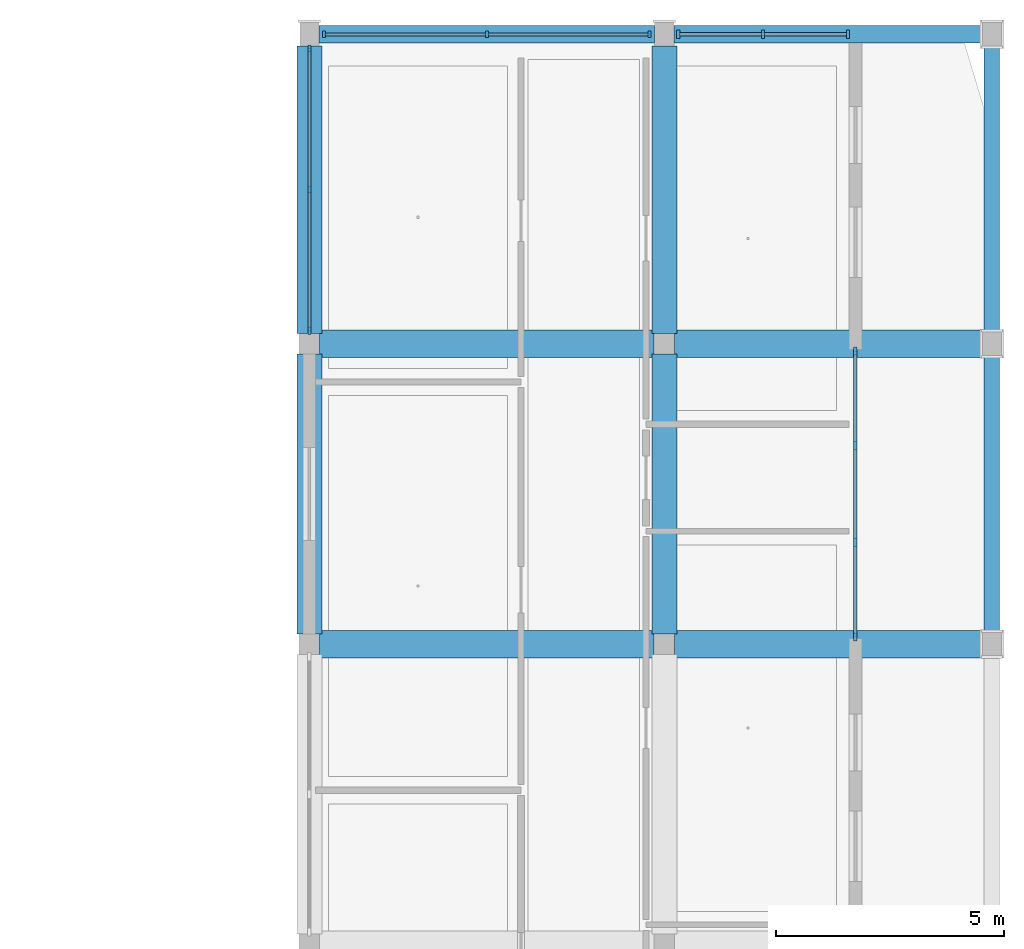
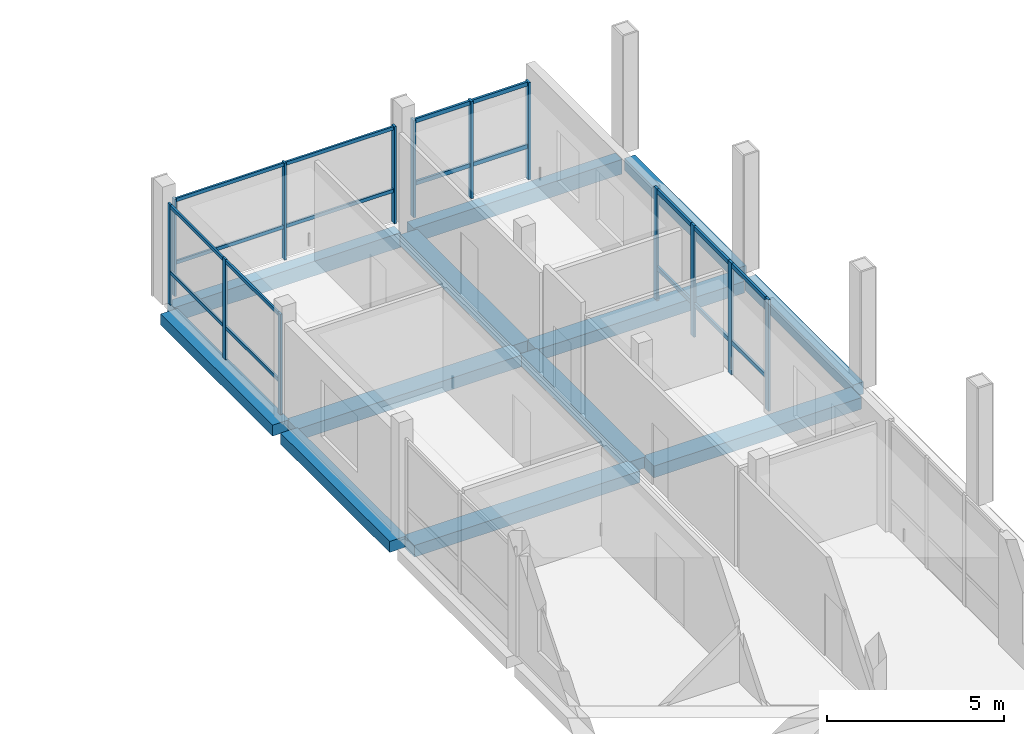
# One storey, part 15 of 48: 21 members, 12 beams, 4 elements without a shape of their own.
"""IFC4 building model written with IfcOpenShell, lengths in metres."""

from ifc_helpers import new_model, si_unit, derived_unit, direction, frame, origin, origin_2d, place, context, subcontext, project, spatial, rectangle, extrude, material, material_profile, profile_set, type_object, element, aggregate, save


model = new_model("IFC4")

# Units and contexts
model_context = context("Model", 3, precision=1e-05, world=origin(), true_north=direction((0.0, 1.0)))
body_context = subcontext(model_context, "Body", "Model", "MODEL_VIEW")
ifc_project = project(units=[si_unit("LENGTHUNIT", "METRE"), si_unit("AREAUNIT", "SQUARE_METRE"), si_unit("VOLUMEUNIT", "CUBIC_METRE"), si_unit("PLANEANGLEUNIT", "RADIAN"), si_unit("MASSUNIT", "GRAM", prefix="KILO"), derived_unit("THERMALTRANSMITTANCEUNIT", [(si_unit("POWERUNIT", "WATT"), 1), (si_unit("LENGTHUNIT", "METRE"), -2), (si_unit("THERMODYNAMICTEMPERATUREUNIT", "KELVIN"), -1)])], contexts=[model_context])

# Site, building, storey
site_placement = place(None, origin())
site = spatial("IfcSite", under=ifc_project, at=site_placement, CompositionType="ELEMENT")
building_placement = place(site_placement, origin())
building = spatial("IfcBuilding", under=site, at=building_placement, Name="Braskholm Square Health Centre", CompositionType="ELEMENT")
storey_placement = place(building_placement, frame((0.0, 0.0, 17.550048828125)))
storey = spatial("IfcBuildingStorey", under=building, at=storey_placement, Name="L05", CompositionType="ELEMENT", Elevation=17.550048828125)

# Curtain wall, members
ifc_material_1 = material(Name="Low-E triple insulating glass (VLT 0.64)", Category="glass")
curtain_wall_type_1 = type_object("IfcCurtainWallType", Name="UnitisedCurtainWall6200x3650", PredefinedType="NOTDEFINED", material=ifc_material_1)
curtain_wall_1_placement = place(storey_placement, origin())
curtain_wall_1 = element("IfcCurtainWall", 1, at=curtain_wall_1_placement, inside=storey, type_object=curtain_wall_type_1, Name="East Valley unitised curtain wall CW-L05-0144", PredefinedType="NOTDEFINED")
ifc_material_2 = material(Name="Architectural bronze anodised aluminium", Category="aluminium")
ifc_material_profile_1 = material_profile(ifc_material_2, rectangle(XDim=0.06494140625, YDim=0.14990234375, at=origin_2d()), Name="ALU-65X150")
ifc_profile_set_1 = profile_set([ifc_material_profile_1], Name="Architectural bronze anodised aluminium")
member_type_1 = type_object("IfcMemberType", Name="CurtainWallMullion65x150", PredefinedType="MULLION", material=ifc_profile_set_1)
member_1_placement = place(storey_placement, frame((148.800048828125, 113.4921875, 0.0), z_axis=(0.0, 0.0, 1.0), x_axis=(1.0, 0.0, 0.0)))
member_1 = element("IfcMember", 2, at=member_1_placement, type_object=member_type_1, Name="CW-L05-0144 vertical mullion 1", PredefinedType="MULLION", context=body_context, shape_type="SweptSolid", body=[
    extrude(rectangle(XDim=0.06494140625, YDim=0.14990234375, at=origin_2d()), origin(), (0.0, 0.0, 1.0), 3.4599609375),
])
member_2_placement = place(storey_placement, frame((148.800048828125, 110.385009765625, 0.0), z_axis=(0.0, 0.0, 1.0), x_axis=(1.0, 0.0, 0.0)))
member_2 = element("IfcMember", 3, at=member_2_placement, type_object=member_type_1, Name="CW-L05-0144 vertical mullion 2", PredefinedType="MULLION", context=body_context, shape_type="SweptSolid", body=[
    extrude(rectangle(XDim=0.06494140625, YDim=0.14990234375, at=origin_2d()), origin(), (0.0, 0.0, 1.0), 3.4599609375),
])
member_3_placement = place(storey_placement, frame((148.800048828125, 107.277587890625, 0.0), z_axis=(0.0, 0.0, 1.0), x_axis=(1.0, 0.0, 0.0)))
member_3 = element("IfcMember", 4, at=member_3_placement, type_object=member_type_1, Name="CW-L05-0144 vertical mullion 3", PredefinedType="MULLION", context=body_context, shape_type="SweptSolid", body=[
    extrude(rectangle(XDim=0.06494140625, YDim=0.14990234375, at=origin_2d()), origin(), (0.0, 0.0, 1.0), 3.4599609375),
])

curtain_wall_2_placement = place(storey_placement, origin())
curtain_wall_2 = element("IfcCurtainWall", 5, at=curtain_wall_2_placement, inside=storey, type_object=curtain_wall_type_1, Name="Wing End unitised curtain wall CW-L05-0170", PredefinedType="NOTDEFINED")
member_4_placement = place(storey_placement, frame((156.276611328125, 113.800048828125, 0.0), z_axis=(0.0, 0.0, 1.0), x_axis=(1.0, 0.0, 0.0)))
member_4 = element("IfcMember", 6, at=member_4_placement, type_object=member_type_1, Name="CW-L05-0170 vertical mullion 1", PredefinedType="MULLION", context=body_context, shape_type="SweptSolid", body=[
    extrude(rectangle(XDim=0.06494140625, YDim=0.14990234375, at=origin_2d()), origin(), (0.0, 0.0, 1.0), 3.33984375),
])
member_5_placement = place(storey_placement, frame((152.699951171875, 113.800048828125, 0.0), z_axis=(0.0, 0.0, 1.0), x_axis=(1.0, 0.0, 0.0)))
member_5 = element("IfcMember", 7, at=member_5_placement, type_object=member_type_1, Name="CW-L05-0170 vertical mullion 2", PredefinedType="MULLION", context=body_context, shape_type="SweptSolid", body=[
    extrude(rectangle(XDim=0.06494140625, YDim=0.14990234375, at=origin_2d()), origin(), (0.0, 0.0, 1.0), 3.33984375),
])
member_6_placement = place(storey_placement, frame((149.123291015625, 113.800048828125, 0.0), z_axis=(0.0, 0.0, 1.0), x_axis=(1.0, 0.0, 0.0)))
member_6 = element("IfcMember", 8, at=member_6_placement, type_object=member_type_1, Name="CW-L05-0170 vertical mullion 3", PredefinedType="MULLION", context=body_context, shape_type="SweptSolid", body=[
    extrude(rectangle(XDim=0.06494140625, YDim=0.14990234375, at=origin_2d()), origin(), (0.0, 0.0, 1.0), 3.33984375),
])

curtain_wall_type_2 = type_object("IfcCurtainWallType", Name="UnitisedCurtainWall6200x3800", PredefinedType="NOTDEFINED", material=ifc_material_1)
curtain_wall_3_placement = place(storey_placement, origin())
curtain_wall_3 = element("IfcCurtainWall", 9, at=curtain_wall_3_placement, inside=storey, type_object=curtain_wall_type_2, Name="East Crown unitised curtain wall CW-L05-0083", PredefinedType="NOTDEFINED")
ifc_material_profile_2 = material_profile(ifc_material_2, rectangle(XDim=0.074951171875, YDim=0.179931640625, at=origin_2d()), Name="ALU-75X180")
ifc_profile_set_2 = profile_set([ifc_material_profile_2], Name="Architectural bronze anodised aluminium")
member_type_2 = type_object("IfcMemberType", Name="CurtainWallMullion75x180", PredefinedType="MULLION", material=ifc_profile_set_2)
member_7_placement = place(storey_placement, frame((160.800048828125, 100.55810546875, 0.0), z_axis=(0.0, 0.0, 1.0), x_axis=(1.0, 0.0, 0.0)))
member_7 = element("IfcMember", 10, at=member_7_placement, type_object=member_type_2, Name="CW-L05-0083 vertical mullion 1", PredefinedType="MULLION", context=body_context, shape_type="SweptSolid", body=[
    extrude(rectangle(XDim=0.074951171875, YDim=0.179931640625, at=origin_2d()), origin(), (0.0, 0.0, 1.0), 3.83984375),
])
member_8_placement = place(storey_placement, frame((160.800048828125, 102.639892578125, 0.0), z_axis=(0.0, 0.0, 1.0), x_axis=(1.0, 0.0, 0.0)))
member_8 = element("IfcMember", 11, at=member_8_placement, type_object=member_type_2, Name="CW-L05-0083 vertical mullion 2", PredefinedType="MULLION", context=body_context, shape_type="SweptSolid", body=[
    extrude(rectangle(XDim=0.074951171875, YDim=0.179931640625, at=origin_2d()), origin(), (0.0, 0.0, 1.0), 3.83984375),
])
member_9_placement = place(storey_placement, frame((160.800048828125, 104.760009765625, 0.0), z_axis=(0.0, 0.0, 1.0), x_axis=(1.0, 0.0, 0.0)))
member_9 = element("IfcMember", 12, at=member_9_placement, type_object=member_type_2, Name="CW-L05-0083 vertical mullion 3", PredefinedType="MULLION", context=body_context, shape_type="SweptSolid", body=[
    extrude(rectangle(XDim=0.074951171875, YDim=0.179931640625, at=origin_2d()), origin(), (0.0, 0.0, 1.0), 3.83984375),
])
member_10_placement = place(storey_placement, frame((160.800048828125, 106.841796875, 0.0), z_axis=(0.0, 0.0, 1.0), x_axis=(1.0, 0.0, 0.0)))
member_10 = element("IfcMember", 13, at=member_10_placement, type_object=member_type_2, Name="CW-L05-0083 vertical mullion 4", PredefinedType="MULLION", context=body_context, shape_type="SweptSolid", body=[
    extrude(rectangle(XDim=0.074951171875, YDim=0.179931640625, at=origin_2d()), origin(), (0.0, 0.0, 1.0), 3.83984375),
])

curtain_wall_type_3 = type_object("IfcCurtainWallType", Name="UnitisedCurtainWall3600x3650", PredefinedType="NOTDEFINED", material=ifc_material_1)
curtain_wall_4_placement = place(storey_placement, origin())
curtain_wall_4 = element("IfcCurtainWall", 14, at=curtain_wall_4_placement, inside=storey, type_object=curtain_wall_type_3, Name="Wing End unitised curtain wall CW-L05-0169", PredefinedType="NOTDEFINED")
member_11_placement = place(storey_placement, frame((160.63720703125, 113.800048828125, 0.0), z_axis=(0.0, 0.0, 1.0), x_axis=(1.0, 0.0, 0.0)))
member_11 = element("IfcMember", 15, at=member_11_placement, type_object=member_type_2, Name="CW-L05-0169 vertical mullion 1", PredefinedType="MULLION", context=body_context, shape_type="SweptSolid", body=[
    extrude(rectangle(XDim=0.074951171875, YDim=0.179931640625, at=origin_2d()), origin(), (0.0, 0.0, 1.0), 3.33984375),
])
member_12_placement = place(storey_placement, frame((158.77001953125, 113.800048828125, 0.0), z_axis=(0.0, 0.0, 1.0), x_axis=(1.0, 0.0, 0.0)))
member_12 = element("IfcMember", 16, at=member_12_placement, type_object=member_type_2, Name="CW-L05-0169 vertical mullion 2", PredefinedType="MULLION", context=body_context, shape_type="SweptSolid", body=[
    extrude(rectangle(XDim=0.074951171875, YDim=0.179931640625, at=origin_2d()), origin(), (0.0, 0.0, 1.0), 3.33984375),
])
member_13_placement = place(storey_placement, frame((156.902587890625, 113.800048828125, 0.0), z_axis=(0.0, 0.0, 1.0), x_axis=(1.0, 0.0, 0.0)))
member_13 = element("IfcMember", 17, at=member_13_placement, type_object=member_type_2, Name="CW-L05-0169 vertical mullion 3", PredefinedType="MULLION", context=body_context, shape_type="SweptSolid", body=[
    extrude(rectangle(XDim=0.074951171875, YDim=0.179931640625, at=origin_2d()), origin(), (0.0, 0.0, 1.0), 3.33984375),
])

# Member
ifc_material_profile_3 = material_profile(ifc_material_2, rectangle(XDim=0.06494140625, YDim=0.1201171875, at=origin_2d()), Name="ALU-65X120")
ifc_profile_set_3 = profile_set([ifc_material_profile_3], Name="Architectural bronze anodised aluminium")
member_type_3 = type_object("IfcMemberType", Name="CurtainWallTransom65x120", PredefinedType="USERDEFINED", material=ifc_profile_set_3)
member_14_placement = place(storey_placement, frame((148.800048828125, 113.485107421875, 1.119873046875), z_axis=(0.0, -1.0, 0.0), x_axis=(1.0, 0.0, 0.0)))
member_14 = element("IfcMember", 18, at=member_14_placement, type_object=member_type_3, Name="CW-L05-0144 horizontal transom 1", ObjectType="TRANSOM", PredefinedType="USERDEFINED", context=body_context, shape_type="SweptSolid", body=[
    extrude(rectangle(XDim=0.06494140625, YDim=0.1201171875, at=origin_2d()), origin(), (0.0, 0.0, 1.0), 6.2001953125),
])

member_15_placement = place(storey_placement, frame((148.800048828125, 113.485107421875, 3.389892578125), z_axis=(0.0, -1.0, 0.0), x_axis=(1.0, 0.0, 0.0)))
member_15 = element("IfcMember", 19, at=member_15_placement, type_object=member_type_3, Name="CW-L05-0144 horizontal transom 2", ObjectType="TRANSOM", PredefinedType="USERDEFINED", context=body_context, shape_type="SweptSolid", body=[
    extrude(rectangle(XDim=0.06494140625, YDim=0.1201171875, at=origin_2d()), origin(), (0.0, 0.0, 1.0), 6.2001953125),
])

aggregate(curtain_wall_1, [member_1, member_2, member_3, member_14, member_15])

member_16_placement = place(storey_placement, frame((156.27490234375, 113.800048828125, 1.119873046875), z_axis=(-1.0, 0.0, 0.0), x_axis=(0.0, -1.0, 0.0)))
member_16 = element("IfcMember", 20, at=member_16_placement, type_object=member_type_3, Name="CW-L05-0170 horizontal transom 1", ObjectType="TRANSOM", PredefinedType="USERDEFINED", context=body_context, shape_type="SweptSolid", body=[
    extrude(rectangle(XDim=0.06494140625, YDim=0.1201171875, at=origin_2d()), origin(), (0.0, 0.0, 1.0), 7.14990234375),
])

member_17_placement = place(storey_placement, frame((156.27490234375, 113.800048828125, 3.27001953125), z_axis=(-1.0, 0.0, 0.0), x_axis=(0.0, -1.0, 0.0)))
member_17 = element("IfcMember", 21, at=member_17_placement, type_object=member_type_3, Name="CW-L05-0170 horizontal transom 2", ObjectType="TRANSOM", PredefinedType="USERDEFINED", context=body_context, shape_type="SweptSolid", body=[
    extrude(rectangle(XDim=0.06494140625, YDim=0.1201171875, at=origin_2d()), origin(), (0.0, 0.0, 1.0), 7.14990234375),
])

aggregate(curtain_wall_2, [member_4, member_5, member_6, member_16, member_17])

ifc_material_profile_4 = material_profile(ifc_material_2, rectangle(XDim=0.074951171875, YDim=0.139892578125, at=origin_2d()), Name="ALU-75X140")
ifc_profile_set_4 = profile_set([ifc_material_profile_4], Name="Architectural bronze anodised aluminium")
member_type_4 = type_object("IfcMemberType", Name="CurtainWallTransom75x140", PredefinedType="USERDEFINED", material=ifc_profile_set_4)
member_18_placement = place(storey_placement, frame((160.800048828125, 100.56494140625, 1.119873046875), z_axis=(0.0, 1.0, 0.0), x_axis=(-1.0, 0.0, 0.0)))
member_18 = element("IfcMember", 22, at=member_18_placement, type_object=member_type_4, Name="CW-L05-0083 horizontal transom 1", ObjectType="TRANSOM", PredefinedType="USERDEFINED", context=body_context, shape_type="SweptSolid", body=[
    extrude(rectangle(XDim=0.074951171875, YDim=0.139892578125, at=origin_2d()), origin(), (0.0, 0.0, 1.0), 6.27001953125),
])

member_19_placement = place(storey_placement, frame((160.800048828125, 100.56494140625, 3.77001953125), z_axis=(0.0, 1.0, 0.0), x_axis=(-1.0, 0.0, 0.0)))
member_19 = element("IfcMember", 23, at=member_19_placement, type_object=member_type_4, Name="CW-L05-0083 horizontal transom 2", ObjectType="TRANSOM", PredefinedType="USERDEFINED", context=body_context, shape_type="SweptSolid", body=[
    extrude(rectangle(XDim=0.074951171875, YDim=0.139892578125, at=origin_2d()), origin(), (0.0, 0.0, 1.0), 6.27001953125),
])

aggregate(curtain_wall_3, [member_7, member_8, member_9, member_10, member_18, member_19])

member_20_placement = place(storey_placement, frame((160.614990234375, 113.800048828125, 1.119873046875), z_axis=(-1.0, 0.0, 0.0), x_axis=(0.0, -1.0, 0.0)))
member_20 = element("IfcMember", 24, at=member_20_placement, type_object=member_type_4, Name="CW-L05-0169 horizontal transom 1", ObjectType="TRANSOM", PredefinedType="USERDEFINED", context=body_context, shape_type="SweptSolid", body=[
    extrude(rectangle(XDim=0.074951171875, YDim=0.139892578125, at=origin_2d()), origin(), (0.0, 0.0, 1.0), 3.68994140625),
])

member_21_placement = place(storey_placement, frame((160.614990234375, 113.800048828125, 3.27001953125), z_axis=(-1.0, 0.0, 0.0), x_axis=(0.0, -1.0, 0.0)))
member_21 = element("IfcMember", 25, at=member_21_placement, type_object=member_type_4, Name="CW-L05-0169 horizontal transom 2", ObjectType="TRANSOM", PredefinedType="USERDEFINED", context=body_context, shape_type="SweptSolid", body=[
    extrude(rectangle(XDim=0.074951171875, YDim=0.139892578125, at=origin_2d()), origin(), (0.0, 0.0, 1.0), 3.68994140625),
])

aggregate(curtain_wall_4, [member_11, member_12, member_13, member_20, member_21])

# Beams
ifc_material_3 = material(Name="Concrete C35/45 (f'c = 35 MPa)", Category="concrete")
ifc_material_profile_5 = material_profile(ifc_material_3, rectangle(XDim=0.550048828125, YDim=0.3798828125, at=origin_2d()), Name="RCB-550X380")
ifc_profile_set_5 = profile_set([ifc_material_profile_5], Name="Concrete C35/45 (f'c = 35 MPa)")
beam_type_1 = type_object("IfcBeamType", Name="PrimaryBandBeam550x380", PredefinedType="BEAM", material=ifc_profile_set_5)
beam_1_placement = place(storey_placement, frame((148.800048828125, 100.625, -0.469970703125), z_axis=(0.0, 1.0, 0.0), x_axis=(-1.0, 0.0, 0.0)))
element("IfcBeam", 26, at=beam_1_placement, inside=storey, type_object=beam_type_1, Name="Beam 20/Q-R L05", PredefinedType="BEAM", context=body_context, shape_type="SweptSolid", body=[
    extrude(rectangle(XDim=0.550048828125, YDim=0.3798828125, at=origin_2d()), origin(), (0.0, 0.0, 1.0), 6.14990234375),
])
beam_2_placement = place(storey_placement, frame((148.800048828125, 107.22509765625, -0.469970703125), z_axis=(0.0, 1.0, 0.0), x_axis=(-1.0, 0.0, 0.0)))
element("IfcBeam", 27, at=beam_2_placement, inside=storey, type_object=beam_type_1, Name="Beam 20/R-S L05", PredefinedType="BEAM", context=body_context, shape_type="SweptSolid", body=[
    extrude(rectangle(XDim=0.550048828125, YDim=0.3798828125, at=origin_2d()), origin(), (0.0, 0.0, 1.0), 6.31494140625),
])
beam_3_placement = place(storey_placement, frame((156.60009765625, 100.625, -0.469970703125), z_axis=(0.0, 1.0, 0.0), x_axis=(-1.0, 0.0, 0.0)))
element("IfcBeam", 28, at=beam_3_placement, inside=storey, type_object=beam_type_1, Name="Beam 21/Q-R L05", PredefinedType="BEAM", context=body_context, shape_type="SweptSolid", body=[
    extrude(rectangle(XDim=0.550048828125, YDim=0.3798828125, at=origin_2d()), origin(), (0.0, 0.0, 1.0), 6.14990234375),
])
beam_4_placement = place(storey_placement, frame((156.60009765625, 107.22509765625, -0.469970703125), z_axis=(0.0, 1.0, 0.0), x_axis=(-1.0, 0.0, 0.0)))
element("IfcBeam", 29, at=beam_4_placement, inside=storey, type_object=beam_type_1, Name="Beam 21/R-S L05", PredefinedType="BEAM", context=body_context, shape_type="SweptSolid", body=[
    extrude(rectangle(XDim=0.550048828125, YDim=0.3798828125, at=origin_2d()), origin(), (0.0, 0.0, 1.0), 6.31494140625),
])
ifc_material_profile_6 = material_profile(ifc_material_3, rectangle(XDim=0.60009765625, YDim=0.39990234375, at=origin_2d()), Name="RCB-600X400")
ifc_profile_set_6 = profile_set([ifc_material_profile_6], Name="Concrete C35/45 (f'c = 35 MPa)")
beam_type_2 = type_object("IfcBeamType", Name="PrimaryBandBeam600x400", PredefinedType="BEAM", material=ifc_profile_set_6)
beam_5_placement = place(storey_placement, frame((149.02490234375, 100.39990234375, -0.47998046875), z_axis=(1.0, 0.0, 0.0), x_axis=(0.0, 1.0, 0.0)))
element("IfcBeam", 30, at=beam_5_placement, inside=storey, type_object=beam_type_2, Name="Beam 20-21/Q L05", PredefinedType="BEAM", context=body_context, shape_type="SweptSolid", body=[
    extrude(rectangle(XDim=0.60009765625, YDim=0.39990234375, at=origin_2d()), origin(), (0.0, 0.0, 1.0), 7.35009765625),
])
beam_6_placement = place(storey_placement, frame((156.824951171875, 100.39990234375, -0.47998046875), z_axis=(1.0, 0.0, 0.0), x_axis=(0.0, 1.0, 0.0)))
element("IfcBeam", 31, at=beam_6_placement, inside=storey, type_object=beam_type_2, Name="Beam 21-22/Q L05", PredefinedType="BEAM", context=body_context, shape_type="SweptSolid", body=[
    extrude(rectangle(XDim=0.60009765625, YDim=0.39990234375, at=origin_2d()), origin(), (0.0, 0.0, 1.0), 6.76513671875),
])
beam_7_placement = place(storey_placement, frame((149.02490234375, 107.0, -0.47998046875), z_axis=(1.0, 0.0, 0.0), x_axis=(0.0, 1.0, 0.0)))
element("IfcBeam", 32, at=beam_7_placement, inside=storey, type_object=beam_type_2, Name="Beam 20-21/R L05", PredefinedType="BEAM", context=body_context, shape_type="SweptSolid", body=[
    extrude(rectangle(XDim=0.60009765625, YDim=0.39990234375, at=origin_2d()), origin(), (0.0, 0.0, 1.0), 7.35009765625),
])
beam_8_placement = place(storey_placement, frame((156.824951171875, 107.0, -0.47998046875), z_axis=(1.0, 0.0, 0.0), x_axis=(0.0, 1.0, 0.0)))
element("IfcBeam", 33, at=beam_8_placement, inside=storey, type_object=beam_type_2, Name="Beam 21-22/R L05", PredefinedType="BEAM", context=body_context, shape_type="SweptSolid", body=[
    extrude(rectangle(XDim=0.60009765625, YDim=0.39990234375, at=origin_2d()), origin(), (0.0, 0.0, 1.0), 6.76513671875),
])
ifc_material_4 = material(Name="Precast concrete C40/50 architectural white", Category="concrete")
ifc_material_profile_7 = material_profile(ifc_material_4, rectangle(XDim=0.340087890625, YDim=0.419921875, at=origin_2d()), Name="RCB-340X420")
ifc_profile_set_7 = profile_set([ifc_material_profile_7], Name="Precast concrete C40/50 architectural white")
beam_type_3 = type_object("IfcBeamType", Name="SpandrelCrownEdge340x420", PredefinedType="SPANDREL", material=ifc_profile_set_7)
beam_9_placement = place(storey_placement, frame((163.800048828125, 100.659912109375, -0.420166015625), z_axis=(0.0, 1.0, 0.0), x_axis=(-1.0, 0.0, 0.0)))
element("IfcBeam", 34, at=beam_9_placement, inside=storey, type_object=beam_type_3, Name="Beam 22/Q-R L05", PredefinedType="SPANDREL", context=body_context, shape_type="SweptSolid", body=[
    extrude(rectangle(XDim=0.340087890625, YDim=0.419921875, at=origin_2d()), origin(), (0.0, 0.0, 1.0), 6.080078125),
])
beam_10_placement = place(storey_placement, frame((163.800048828125, 107.260009765625, -0.420166015625), z_axis=(0.0, 1.0, 0.0), x_axis=(-1.0, 0.0, 0.0)))
element("IfcBeam", 35, at=beam_10_placement, inside=storey, type_object=beam_type_3, Name="Beam 22/R-S L05", PredefinedType="SPANDREL", context=body_context, shape_type="SweptSolid", body=[
    extrude(rectangle(XDim=0.340087890625, YDim=0.419921875, at=origin_2d()), origin(), (0.0, 0.0, 1.0), 6.280029296875),
])
ifc_material_profile_8 = material_profile(ifc_material_4, rectangle(XDim=0.3798828125, YDim=0.5, at=origin_2d()), Name="RCB-380X500")
ifc_profile_set_8 = profile_set([ifc_material_profile_8], Name="Precast concrete C40/50 architectural white")
beam_type_4 = type_object("IfcBeamType", Name="SpandrelPrecastEdge380x500", PredefinedType="SPANDREL", material=ifc_profile_set_8)
beam_11_placement = place(storey_placement, frame((149.010009765625, 113.800048828125, -0.530029296875), z_axis=(1.0, 0.0, 0.0), x_axis=(0.0, 1.0, 0.0)))
element("IfcBeam", 36, at=beam_11_placement, inside=storey, type_object=beam_type_4, Name="Beam 20-21/S L05", PredefinedType="SPANDREL", context=body_context, shape_type="SweptSolid", body=[
    extrude(rectangle(XDim=0.3798828125, YDim=0.5, at=origin_2d()), origin(), (0.0, 0.0, 1.0), 7.3798828125),
])
beam_12_placement = place(storey_placement, frame((156.81005859375, 113.800048828125, -0.530029296875), z_axis=(1.0, 0.0, 0.0), x_axis=(0.0, 1.0, 0.0)))
element("IfcBeam", 37, at=beam_12_placement, inside=storey, type_object=beam_type_4, Name="Beam 21-22/S L05", PredefinedType="SPANDREL", context=body_context, shape_type="SweptSolid", body=[
    extrude(rectangle(XDim=0.3798828125, YDim=0.5, at=origin_2d()), origin(), (0.0, 0.0, 1.0), 6.780029296875),
])

save(model, "model.ifc")
